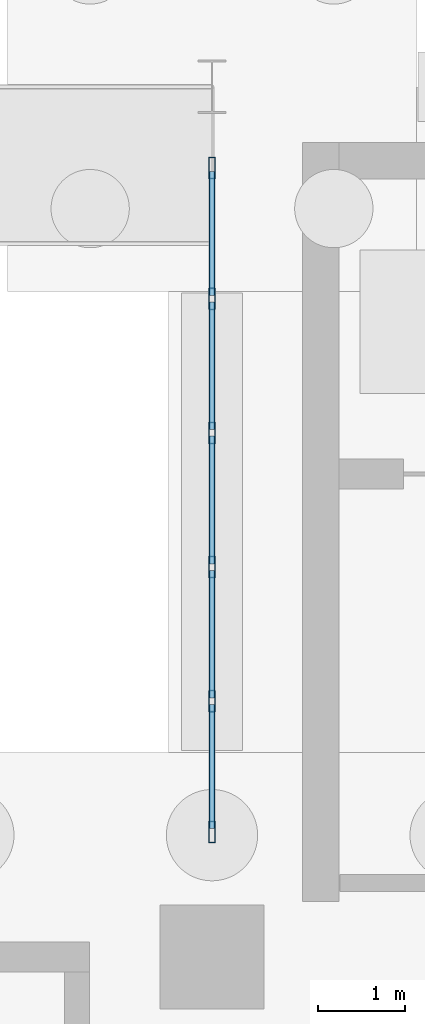
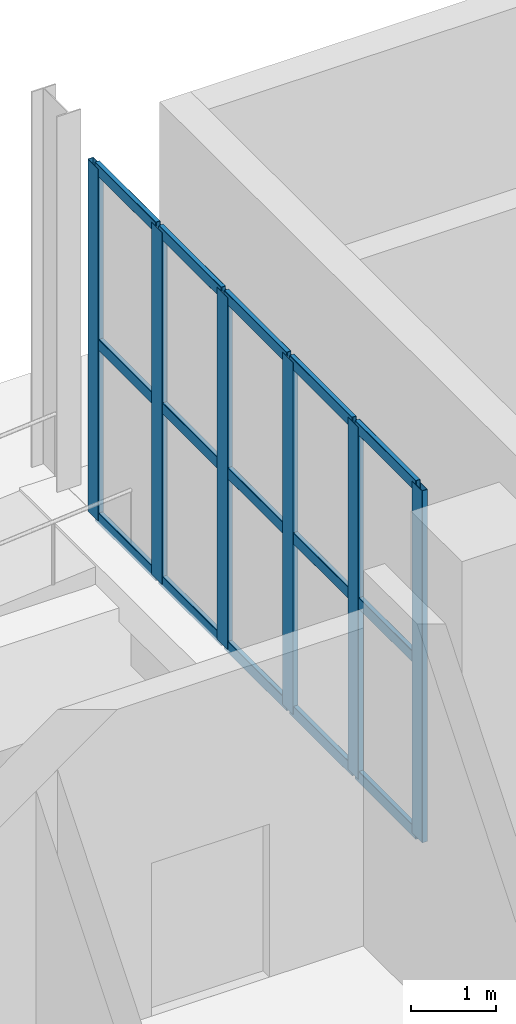
# One storey, part 35 of 70: 21 members, 1 element without a shape of its own.
"""IFC4 building model written with IfcOpenShell, lengths in metres."""

import ifcopenshell
import ifcopenshell.guid

model = None  # the IFC model being written
_history = None  # IfcOwnerHistory: only IFC2X3 demands one
_inside = {}  # id of a spatial element -> (the spatial element, [elements in it])
_under = {}  # id of a project, library or spatial element -> (it, [spatial elements below it])
_declared = {}  # id of a project -> (the project, [libraries it declares])
_typed = {}  # id of a type object -> (the type object, [elements of that type])
_made_of = {}  # id of a material, layer set ... -> (it, [elements and type objects made of it])


def new_model(schema):
    """Start an empty IFC model of exactly this schema.

    Asked for "IFC4X3", IfcOpenShell would pick the latest addendum, in which some entities
    have other attributes; the version numbers below select the first issue.
    IFC2X3 requires an IfcOwnerHistory on every rooted entity: one is made here for all.
    """
    global model, _history
    if schema == "IFC4X3":
        model = ifcopenshell.file(schema_version=(4, 3, 0, 0))
    else:
        model = ifcopenshell.file(schema=schema)
    _inside.clear()
    _under.clear()
    _declared.clear()
    _typed.clear()
    _made_of.clear()
    _history = None
    if model.schema == "IFC2X3":
        org = make("IfcOrganization", Name="unknown")
        user = make(
            "IfcPersonAndOrganization",
            ThePerson=make("IfcPerson", FamilyName="unknown"),
            TheOrganization=org,
        )
        app = make(
            "IfcApplication",
            ApplicationDeveloper=org,
            Version="unknown",
            ApplicationFullName="unknown",
            ApplicationIdentifier="unknown",
        )
        _history = make(
            "IfcOwnerHistory",
            OwningUser=user,
            OwningApplication=app,
            ChangeAction="ADDED",
            CreationDate=0,
        )
    return model


def make(cls, **values):
    """One entity of the class cls with the attributes given. An attribute that is None is left unset."""
    return model.create_entity(
        cls, **{name: value for name, value in values.items() if value is not None}
    )


def rooted(cls, **values):
    """An entity with a GlobalId (a new one), such as an element, a storey or a relation."""
    return make(cls, GlobalId=ifcopenshell.guid.new(), OwnerHistory=_history, **values)


def si_unit(unit_type, name, prefix=None):
    """IfcSIUnit, for example si_unit("LENGTHUNIT", "METRE", prefix="MILLI")."""
    return make("IfcSIUnit", UnitType=unit_type, Prefix=prefix, Name=name)


def assignment(units):
    """IfcUnitAssignment: the units of a project."""
    return None if units is None else make("IfcUnitAssignment", Units=units)


def point(xyz):
    """IfcCartesianPoint."""
    return None if xyz is None else make("IfcCartesianPoint", Coordinates=xyz)


def direction(xyz):
    """IfcDirection."""
    return None if xyz is None else make("IfcDirection", DirectionRatios=xyz)


def frame(location, z_axis=None, x_axis=None):
    """IfcAxis2Placement3D, a coordinate frame: its origin and axes. An axis left out is left unset."""
    return make(
        "IfcAxis2Placement3D",
        Location=point(location),
        Axis=direction(z_axis),
        RefDirection=direction(x_axis),
    )


def frame_2d(location, x_axis=None):
    """IfcAxis2Placement2D, a coordinate frame in the plane: its origin and x axis."""
    return make(
        "IfcAxis2Placement2D", Location=point(location), RefDirection=direction(x_axis)
    )


def origin():
    """The frame at (0, 0, 0) with its axes left unset."""
    return frame((0.0, 0.0, 0.0))


def origin_2d():
    """The frame at (0, 0) in the plane with its x axis left unset."""
    return frame_2d((0.0, 0.0))


def place(relative_to, where):
    """IfcLocalPlacement: puts the frame where relative to a parent placement (None: the world)."""
    return make(
        "IfcLocalPlacement", PlacementRelTo=relative_to, RelativePlacement=where
    )


def context(
    kind, dimensions, precision=None, world=None, true_north=None, identifier=None
):
    """IfcGeometricRepresentationContext, for example the 3D "Model" context."""
    return make(
        "IfcGeometricRepresentationContext",
        ContextIdentifier=identifier,
        ContextType=kind,
        CoordinateSpaceDimension=dimensions,
        Precision=precision,
        WorldCoordinateSystem=world,
        TrueNorth=true_north,
    )


def subcontext(parent, identifier, kind, view, scale=None):
    """IfcGeometricRepresentationSubContext, for example "Body" below "Model"."""
    return make(
        "IfcGeometricRepresentationSubContext",
        ContextIdentifier=identifier,
        ContextType=kind,
        ParentContext=parent,
        TargetScale=scale,
        TargetView=view,
    )


def project(units=None, contexts=None):
    """IfcProject with its units and contexts."""
    return rooted(
        "IfcProject",
        Name="project",
        RepresentationContexts=contexts,
        UnitsInContext=assignment(units),
    )


def spatial(cls, under=None, at=None, **own):
    """A site, building, storey or space (cls), placed at a placement, below another one or the project."""
    s = rooted(cls, ObjectPlacement=at, **own)
    if under is not None:
        _under.setdefault(under.id(), (under, []))[1].append(s)
    return s


def profile(cls, at=None, kind="AREA", **sizes):
    """A parametric profile (cls). Its sizes go by their IFC names, for example OverallWidth=200.0."""
    return make(cls, ProfileType=kind, Position=at, **sizes)


def hollow_rectangle(**sizes):
    """IfcRectangleHollowProfileDef."""
    return profile("IfcRectangleHollowProfileDef", **sizes)


def extrude(swept, where, along, depth):
    """IfcExtrudedAreaSolid: the profile swept, set in the frame where, extruded along a direction by depth."""
    return make(
        "IfcExtrudedAreaSolid",
        SweptArea=swept,
        Position=where,
        ExtrudedDirection=direction(along),
        Depth=depth,
    )


def shape(context_of_items, identifier, shape_type, items):
    """IfcShapeRepresentation: the items that make up one representation, for example the "Body"."""
    return make(
        "IfcShapeRepresentation",
        ContextOfItems=context_of_items,
        RepresentationIdentifier=identifier,
        RepresentationType=shape_type,
        Items=items,
    )


def material(Name=None, Category=None):
    """IfcMaterial."""
    return make("IfcMaterial", Name=Name, Category=Category)


def layer(
    of_material, thickness, ventilated=None, Name=None, Category=None, Priority=None
):
    """IfcMaterialLayer: one layer of a wall or slab, of a material (None: an air gap)."""
    return make(
        "IfcMaterialLayer",
        Material=of_material,
        LayerThickness=thickness,
        IsVentilated=ventilated,
        Name=Name,
        Category=Category,
        Priority=Priority,
    )


def layer_set(layers, Name=None):
    """IfcMaterialLayerSet."""
    return make("IfcMaterialLayerSet", MaterialLayers=layers, LayerSetName=Name)


def material_profile(
    of_material, cross_section, Name=None, Category=None, Priority=None
):
    """IfcMaterialProfile: a cross section and its material."""
    return make(
        "IfcMaterialProfile",
        Name=Name,
        Material=of_material,
        Profile=cross_section,
        Priority=Priority,
        Category=Category,
    )


def profile_set(profiles, Name=None, composite=None):
    """IfcMaterialProfileSet."""
    return make(
        "IfcMaterialProfileSet",
        Name=Name,
        MaterialProfiles=profiles,
        CompositeProfile=composite,
    )


def made_of(thing, what):
    """Note that an element or type object is made of a material, layer set ...; save() writes the relation."""
    if what is not None:
        _made_of.setdefault(what.id(), (what, []))[1].append(thing)
    return thing


def type_object(cls, material=None, **own):
    """A type object (cls), such as IfcWallType, which elements share."""
    return made_of(rooted(cls, **own), material)


def element(
    cls,
    number,
    at=None,
    inside=None,
    cuts=None,
    type_object=None,
    material=None,
    context=None,
    identifier="Body",
    shape_type=None,
    held_by="IfcProductDefinitionShape",
    body=None,
    shapes=None,
    **own,
):
    """One element of the class cls, such as IfcWall. Its Tag is "e" and its number.

    at: its placement. inside: the storey or other place that contains it. cuts: it is an
    opening in that element (IfcRelVoidsElement). A single representation is given by context,
    identifier, shape_type and body (its items); several are given by shapes. held_by: the class
    of the entity that holds the representations. save() writes the other relations.
    """
    e = rooted(cls, Tag="e%d" % number, ObjectPlacement=at, **own)
    if body is not None:
        shapes = [shape(context, identifier, shape_type, body)]
    if shapes is not None:
        e.Representation = make(held_by, Representations=shapes)
    if inside is not None:
        _inside.setdefault(inside.id(), (inside, []))[1].append(e)
    if cuts is not None:
        rooted(
            "IfcRelVoidsElement", RelatingBuildingElement=cuts, RelatedOpeningElement=e
        )
    if type_object is not None:
        _typed.setdefault(type_object.id(), (type_object, []))[1].append(e)
    return made_of(e, material)


def aggregate(whole, parts):
    """IfcRelAggregates: a whole, such as a stair, and the parts it consists of."""
    return rooted("IfcRelAggregates", RelatingObject=whole, RelatedObjects=parts)


def save(model, path):
    """Write the relations noted so far, then the file.

    IfcRelAggregates (storeys below a building ...), IfcRelContainedInSpatialStructure (elements
    in a storey), IfcRelDefinesByType, IfcRelAssociatesMaterial and IfcRelDeclares: one each for
    every whole, place, type object, material and project.
    """
    for whole, parts in _under.values():
        aggregate(whole, parts)
    for where, things in _inside.values():
        rooted(
            "IfcRelContainedInSpatialStructure",
            RelatedElements=things,
            RelatingStructure=where,
        )
    for kind, things in _typed.values():
        rooted("IfcRelDefinesByType", RelatedObjects=things, RelatingType=kind)
    for what, things in _made_of.values():
        rooted("IfcRelAssociatesMaterial", RelatedObjects=things, RelatingMaterial=what)
    for by, libraries in _declared.values():
        rooted("IfcRelDeclares", RelatingContext=by, RelatedDefinitions=libraries)
    model.write(path)


model = new_model("IFC4")

# Units and contexts
model_context = context("Model", 3, precision=1e-05, world=origin(), true_north=direction((0.0, 1.0)))
body_context = subcontext(model_context, "Body", "Model", "MODEL_VIEW")
ifc_project = project(units=[si_unit("LENGTHUNIT", "METRE"), si_unit("AREAUNIT", "SQUARE_METRE"), si_unit("VOLUMEUNIT", "CUBIC_METRE"), si_unit("PLANEANGLEUNIT", "RADIAN"), si_unit("MASSUNIT", "GRAM", prefix="KILO")], contexts=[model_context])

# Site, building, storey
site_placement = place(None, origin())
site = spatial("IfcSite", under=ifc_project, at=site_placement, CompositionType="ELEMENT")
building_placement = place(site_placement, origin())
building = spatial("IfcBuilding", under=site, at=building_placement, Name="Brinegate Civic Arena", CompositionType="ELEMENT")
storey_placement = place(building_placement, origin())
storey = spatial("IfcBuildingStorey", under=building, at=storey_placement, Name="L00", CompositionType="ELEMENT", Elevation=0.0)

# Curtain wall, members
ifc_material = material(Name="Marine grade aluminium", Category="aluminium")
ifc_layer = layer(ifc_material, 0.235107421875, Name="Marine grade aluminium")
ifc_layer_set = layer_set([ifc_layer], Name="Marine grade aluminium")
curtain_wall_type = type_object("IfcCurtainWallType", Name="CW-PORTAL-NORTH-01", PredefinedType="USERDEFINED", material=ifc_layer_set)
curtain_wall_placement = place(storey_placement, origin())
curtain_wall = element("IfcCurtainWall", 1, at=curtain_wall_placement, inside=storey, type_object=curtain_wall_type, Name="Curtain Wall CWA-010", ObjectType="PORTAL CURTAIN WALL", PredefinedType="USERDEFINED")
ifc_material_profile_1 = material_profile(ifc_material, hollow_rectangle(XDim=0.074951171875, YDim=0.25, WallThickness=0.006103515625, InnerFilletRadius=0.00390625, OuterFilletRadius=0.008056640625, at=origin_2d()), Name="MUL75X250")
ifc_profile_set_1 = profile_set([ifc_material_profile_1], Name="Marine grade aluminium")
member_type_1 = type_object("IfcMemberType", Name="CW-MULLION-75X250", PredefinedType="MULLION", material=ifc_profile_set_1)
member_1_placement = place(storey_placement, frame((84.0, 115.4365234375, 0.0), z_axis=(0.0, 0.0, 1.0), x_axis=(-1.0, 0.0, 0.0)))
member_1 = element("IfcMember", 2, at=member_1_placement, type_object=member_type_1, Name="CWA-010 mullion 1", PredefinedType="MULLION", context=body_context, shape_type="SweptSolid", body=[
    extrude(hollow_rectangle(XDim=0.074951171875, YDim=0.25, WallThickness=0.006103515625, InnerFilletRadius=0.00390625, OuterFilletRadius=0.008056640625, at=origin_2d()), origin(), (0.0, 0.0, 1.0), 5.06005859375),
])
member_2_placement = place(storey_placement, frame((84.0, 116.93994140625, 0.0), z_axis=(0.0, 0.0, 1.0), x_axis=(-1.0, 0.0, 0.0)))
member_2 = element("IfcMember", 3, at=member_2_placement, type_object=member_type_1, Name="CWA-010 mullion 2", PredefinedType="MULLION", context=body_context, shape_type="SweptSolid", body=[
    extrude(hollow_rectangle(XDim=0.074951171875, YDim=0.25, WallThickness=0.006103515625, InnerFilletRadius=0.00390625, OuterFilletRadius=0.008056640625, at=origin_2d()), origin(), (0.0, 0.0, 1.0), 5.06005859375),
])
member_3_placement = place(storey_placement, frame((84.0, 118.48095703125, 0.0), z_axis=(0.0, 0.0, 1.0), x_axis=(-1.0, 0.0, 0.0)))
member_3 = element("IfcMember", 4, at=member_3_placement, type_object=member_type_1, Name="CWA-010 mullion 3", PredefinedType="MULLION", context=body_context, shape_type="SweptSolid", body=[
    extrude(hollow_rectangle(XDim=0.074951171875, YDim=0.25, WallThickness=0.006103515625, InnerFilletRadius=0.00390625, OuterFilletRadius=0.008056640625, at=origin_2d()), origin(), (0.0, 0.0, 1.0), 5.06005859375),
])
member_4_placement = place(storey_placement, frame((84.0, 120.02197265625, 0.0), z_axis=(0.0, 0.0, 1.0), x_axis=(-1.0, 0.0, 0.0)))
member_4 = element("IfcMember", 5, at=member_4_placement, type_object=member_type_1, Name="CWA-010 mullion 4", PredefinedType="MULLION", context=body_context, shape_type="SweptSolid", body=[
    extrude(hollow_rectangle(XDim=0.074951171875, YDim=0.25, WallThickness=0.006103515625, InnerFilletRadius=0.00390625, OuterFilletRadius=0.008056640625, at=origin_2d()), origin(), (0.0, 0.0, 1.0), 5.06005859375),
])
member_5_placement = place(storey_placement, frame((84.0, 121.56298828125, 0.0), z_axis=(0.0, 0.0, 1.0), x_axis=(-1.0, 0.0, 0.0)))
member_5 = element("IfcMember", 6, at=member_5_placement, type_object=member_type_1, Name="CWA-010 mullion 5", PredefinedType="MULLION", context=body_context, shape_type="SweptSolid", body=[
    extrude(hollow_rectangle(XDim=0.074951171875, YDim=0.25, WallThickness=0.006103515625, InnerFilletRadius=0.00390625, OuterFilletRadius=0.008056640625, at=origin_2d()), origin(), (0.0, 0.0, 1.0), 5.06005859375),
])
member_6_placement = place(storey_placement, frame((84.0, 123.06640625, 0.0), z_axis=(0.0, 0.0, 1.0), x_axis=(-1.0, 0.0, 0.0)))
member_6 = element("IfcMember", 7, at=member_6_placement, type_object=member_type_1, Name="CWA-010 mullion 6", PredefinedType="MULLION", context=body_context, shape_type="SweptSolid", body=[
    extrude(hollow_rectangle(XDim=0.074951171875, YDim=0.25, WallThickness=0.006103515625, InnerFilletRadius=0.00390625, OuterFilletRadius=0.008056640625, at=origin_2d()), origin(), (0.0, 0.0, 1.0), 5.06005859375),
])
ifc_material_profile_2 = material_profile(ifc_material, hollow_rectangle(XDim=0.06494140625, YDim=0.1650390625, WallThickness=0.0048828125, InnerFilletRadius=0.00390625, OuterFilletRadius=0.008056640625, at=origin_2d()), Name="TRN65X165")
ifc_profile_set_2 = profile_set([ifc_material_profile_2], Name="Marine grade aluminium")
member_type_2 = type_object("IfcMemberType", Name="CW-TRANSOM-65X165", PredefinedType="USERDEFINED", material=ifc_profile_set_2)
member_7_placement = place(storey_placement, frame((84.0, 115.47412109375, 0.032470703125), z_axis=(0.0, 1.0, 0.0), x_axis=(-1.0, 0.0, 0.0)))
member_7 = element("IfcMember", 8, at=member_7_placement, type_object=member_type_2, Name="CWA-010 transom 1.1", ObjectType="TRANSOM", PredefinedType="USERDEFINED", context=body_context, shape_type="SweptSolid", body=[
    extrude(hollow_rectangle(XDim=0.06494140625, YDim=0.1650390625, WallThickness=0.0048828125, InnerFilletRadius=0.00390625, OuterFilletRadius=0.008056640625, at=origin_2d()), origin(), (0.0, 0.0, 1.0), 1.428466796875),
])
member_8_placement = place(storey_placement, frame((84.0, 115.47412109375, 2.530029296875), z_axis=(0.0, 1.0, 0.0), x_axis=(-1.0, 0.0, 0.0)))
member_8 = element("IfcMember", 9, at=member_8_placement, type_object=member_type_2, Name="CWA-010 transom 1.2", ObjectType="TRANSOM", PredefinedType="USERDEFINED", context=body_context, shape_type="SweptSolid", body=[
    extrude(hollow_rectangle(XDim=0.06494140625, YDim=0.1650390625, WallThickness=0.0048828125, InnerFilletRadius=0.00390625, OuterFilletRadius=0.008056640625, at=origin_2d()), origin(), (0.0, 0.0, 1.0), 1.428466796875),
])
member_9_placement = place(storey_placement, frame((84.0, 115.47412109375, 5.027587890625), z_axis=(0.0, 1.0, 0.0), x_axis=(-1.0, 0.0, 0.0)))
member_9 = element("IfcMember", 10, at=member_9_placement, type_object=member_type_2, Name="CWA-010 transom 1.3", ObjectType="TRANSOM", PredefinedType="USERDEFINED", context=body_context, shape_type="SweptSolid", body=[
    extrude(hollow_rectangle(XDim=0.06494140625, YDim=0.1650390625, WallThickness=0.0048828125, InnerFilletRadius=0.00390625, OuterFilletRadius=0.008056640625, at=origin_2d()), origin(), (0.0, 0.0, 1.0), 1.428466796875),
])
member_10_placement = place(storey_placement, frame((84.0, 116.9775390625, 0.032470703125), z_axis=(0.0, 1.0, 0.0), x_axis=(-1.0, 0.0, 0.0)))
member_10 = element("IfcMember", 11, at=member_10_placement, type_object=member_type_2, Name="CWA-010 transom 2.1", ObjectType="TRANSOM", PredefinedType="USERDEFINED", context=body_context, shape_type="SweptSolid", body=[
    extrude(hollow_rectangle(XDim=0.06494140625, YDim=0.1650390625, WallThickness=0.0048828125, InnerFilletRadius=0.00390625, OuterFilletRadius=0.008056640625, at=origin_2d()), origin(), (0.0, 0.0, 1.0), 1.466064453125),
])
member_11_placement = place(storey_placement, frame((84.0, 116.9775390625, 2.530029296875), z_axis=(0.0, 1.0, 0.0), x_axis=(-1.0, 0.0, 0.0)))
member_11 = element("IfcMember", 12, at=member_11_placement, type_object=member_type_2, Name="CWA-010 transom 2.2", ObjectType="TRANSOM", PredefinedType="USERDEFINED", context=body_context, shape_type="SweptSolid", body=[
    extrude(hollow_rectangle(XDim=0.06494140625, YDim=0.1650390625, WallThickness=0.0048828125, InnerFilletRadius=0.00390625, OuterFilletRadius=0.008056640625, at=origin_2d()), origin(), (0.0, 0.0, 1.0), 1.466064453125),
])
member_12_placement = place(storey_placement, frame((84.0, 116.9775390625, 5.027587890625), z_axis=(0.0, 1.0, 0.0), x_axis=(-1.0, 0.0, 0.0)))
member_12 = element("IfcMember", 13, at=member_12_placement, type_object=member_type_2, Name="CWA-010 transom 2.3", ObjectType="TRANSOM", PredefinedType="USERDEFINED", context=body_context, shape_type="SweptSolid", body=[
    extrude(hollow_rectangle(XDim=0.06494140625, YDim=0.1650390625, WallThickness=0.0048828125, InnerFilletRadius=0.00390625, OuterFilletRadius=0.008056640625, at=origin_2d()), origin(), (0.0, 0.0, 1.0), 1.466064453125),
])
member_13_placement = place(storey_placement, frame((84.0, 118.5185546875, 0.032470703125), z_axis=(0.0, 1.0, 0.0), x_axis=(-1.0, 0.0, 0.0)))
member_13 = element("IfcMember", 14, at=member_13_placement, type_object=member_type_2, Name="CWA-010 transom 3.1", ObjectType="TRANSOM", PredefinedType="USERDEFINED", context=body_context, shape_type="SweptSolid", body=[
    extrude(hollow_rectangle(XDim=0.06494140625, YDim=0.1650390625, WallThickness=0.0048828125, InnerFilletRadius=0.00390625, OuterFilletRadius=0.008056640625, at=origin_2d()), origin(), (0.0, 0.0, 1.0), 1.466064453125),
])
member_14_placement = place(storey_placement, frame((84.0, 118.5185546875, 2.530029296875), z_axis=(0.0, 1.0, 0.0), x_axis=(-1.0, 0.0, 0.0)))
member_14 = element("IfcMember", 15, at=member_14_placement, type_object=member_type_2, Name="CWA-010 transom 3.2", ObjectType="TRANSOM", PredefinedType="USERDEFINED", context=body_context, shape_type="SweptSolid", body=[
    extrude(hollow_rectangle(XDim=0.06494140625, YDim=0.1650390625, WallThickness=0.0048828125, InnerFilletRadius=0.00390625, OuterFilletRadius=0.008056640625, at=origin_2d()), origin(), (0.0, 0.0, 1.0), 1.466064453125),
])
member_15_placement = place(storey_placement, frame((84.0, 118.5185546875, 5.027587890625), z_axis=(0.0, 1.0, 0.0), x_axis=(-1.0, 0.0, 0.0)))
member_15 = element("IfcMember", 16, at=member_15_placement, type_object=member_type_2, Name="CWA-010 transom 3.3", ObjectType="TRANSOM", PredefinedType="USERDEFINED", context=body_context, shape_type="SweptSolid", body=[
    extrude(hollow_rectangle(XDim=0.06494140625, YDim=0.1650390625, WallThickness=0.0048828125, InnerFilletRadius=0.00390625, OuterFilletRadius=0.008056640625, at=origin_2d()), origin(), (0.0, 0.0, 1.0), 1.466064453125),
])
member_16_placement = place(storey_placement, frame((84.0, 120.0595703125, 0.032470703125), z_axis=(0.0, 1.0, 0.0), x_axis=(-1.0, 0.0, 0.0)))
member_16 = element("IfcMember", 17, at=member_16_placement, type_object=member_type_2, Name="CWA-010 transom 4.1", ObjectType="TRANSOM", PredefinedType="USERDEFINED", context=body_context, shape_type="SweptSolid", body=[
    extrude(hollow_rectangle(XDim=0.06494140625, YDim=0.1650390625, WallThickness=0.0048828125, InnerFilletRadius=0.00390625, OuterFilletRadius=0.008056640625, at=origin_2d()), origin(), (0.0, 0.0, 1.0), 1.4658203125),
])
member_17_placement = place(storey_placement, frame((84.0, 120.0595703125, 2.530029296875), z_axis=(0.0, 1.0, 0.0), x_axis=(-1.0, 0.0, 0.0)))
member_17 = element("IfcMember", 18, at=member_17_placement, type_object=member_type_2, Name="CWA-010 transom 4.2", ObjectType="TRANSOM", PredefinedType="USERDEFINED", context=body_context, shape_type="SweptSolid", body=[
    extrude(hollow_rectangle(XDim=0.06494140625, YDim=0.1650390625, WallThickness=0.0048828125, InnerFilletRadius=0.00390625, OuterFilletRadius=0.008056640625, at=origin_2d()), origin(), (0.0, 0.0, 1.0), 1.4658203125),
])
member_18_placement = place(storey_placement, frame((84.0, 120.0595703125, 5.027587890625), z_axis=(0.0, 1.0, 0.0), x_axis=(-1.0, 0.0, 0.0)))
member_18 = element("IfcMember", 19, at=member_18_placement, type_object=member_type_2, Name="CWA-010 transom 4.3", ObjectType="TRANSOM", PredefinedType="USERDEFINED", context=body_context, shape_type="SweptSolid", body=[
    extrude(hollow_rectangle(XDim=0.06494140625, YDim=0.1650390625, WallThickness=0.0048828125, InnerFilletRadius=0.00390625, OuterFilletRadius=0.008056640625, at=origin_2d()), origin(), (0.0, 0.0, 1.0), 1.4658203125),
])
member_19_placement = place(storey_placement, frame((84.0, 121.6005859375, 0.032470703125), z_axis=(0.0, 1.0, 0.0), x_axis=(-1.0, 0.0, 0.0)))
member_19 = element("IfcMember", 20, at=member_19_placement, type_object=member_type_2, Name="CWA-010 transom 5.1", ObjectType="TRANSOM", PredefinedType="USERDEFINED", context=body_context, shape_type="SweptSolid", body=[
    extrude(hollow_rectangle(XDim=0.06494140625, YDim=0.1650390625, WallThickness=0.0048828125, InnerFilletRadius=0.00390625, OuterFilletRadius=0.008056640625, at=origin_2d()), origin(), (0.0, 0.0, 1.0), 1.428466796875),
])
member_20_placement = place(storey_placement, frame((84.0, 121.6005859375, 2.530029296875), z_axis=(0.0, 1.0, 0.0), x_axis=(-1.0, 0.0, 0.0)))
member_20 = element("IfcMember", 21, at=member_20_placement, type_object=member_type_2, Name="CWA-010 transom 5.2", ObjectType="TRANSOM", PredefinedType="USERDEFINED", context=body_context, shape_type="SweptSolid", body=[
    extrude(hollow_rectangle(XDim=0.06494140625, YDim=0.1650390625, WallThickness=0.0048828125, InnerFilletRadius=0.00390625, OuterFilletRadius=0.008056640625, at=origin_2d()), origin(), (0.0, 0.0, 1.0), 1.428466796875),
])
member_21_placement = place(storey_placement, frame((84.0, 121.6005859375, 5.027587890625), z_axis=(0.0, 1.0, 0.0), x_axis=(-1.0, 0.0, 0.0)))
member_21 = element("IfcMember", 22, at=member_21_placement, type_object=member_type_2, Name="CWA-010 transom 5.3", ObjectType="TRANSOM", PredefinedType="USERDEFINED", context=body_context, shape_type="SweptSolid", body=[
    extrude(hollow_rectangle(XDim=0.06494140625, YDim=0.1650390625, WallThickness=0.0048828125, InnerFilletRadius=0.00390625, OuterFilletRadius=0.008056640625, at=origin_2d()), origin(), (0.0, 0.0, 1.0), 1.428466796875),
])
aggregate(curtain_wall, [member_1, member_2, member_3, member_4, member_5, member_6, member_7, member_8, member_9, member_10, member_11, member_12, member_13, member_14, member_15, member_16, member_17, member_18, member_19, member_20, member_21])

save(model, "model.ifc")
